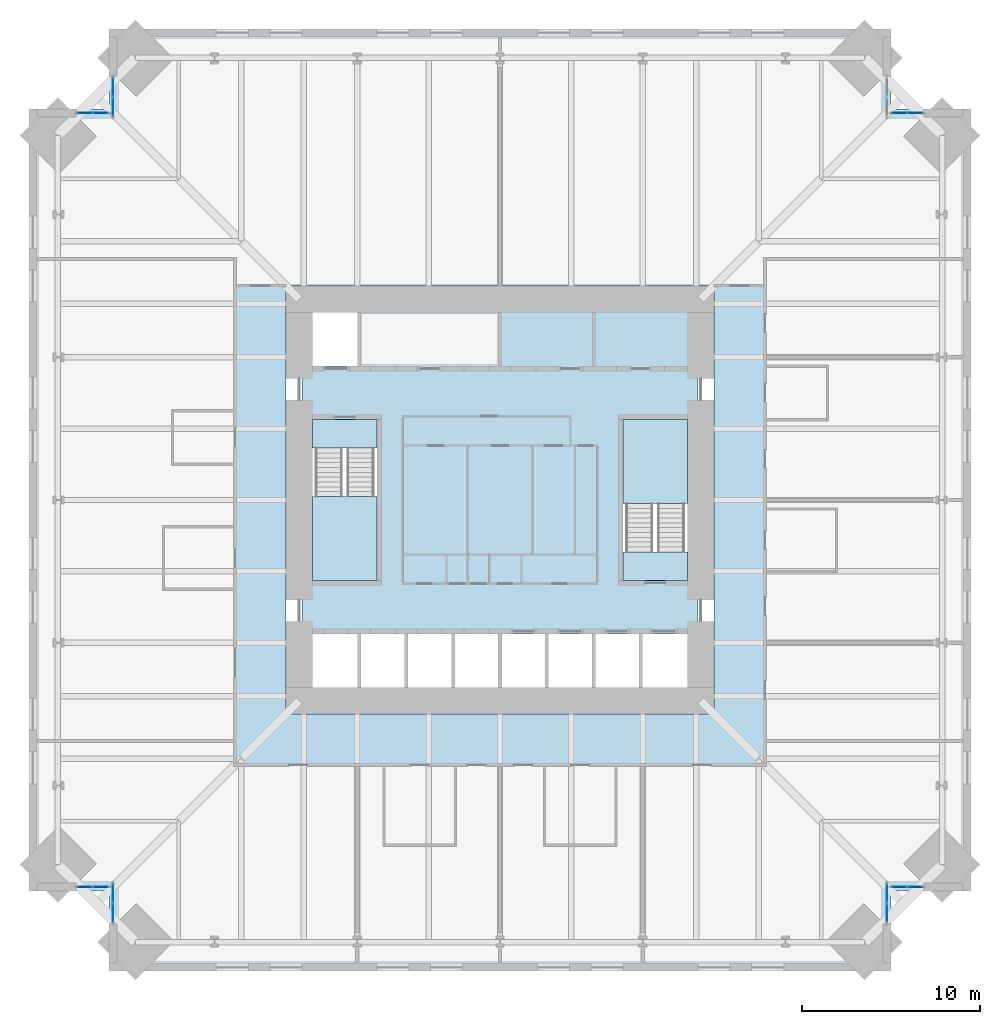
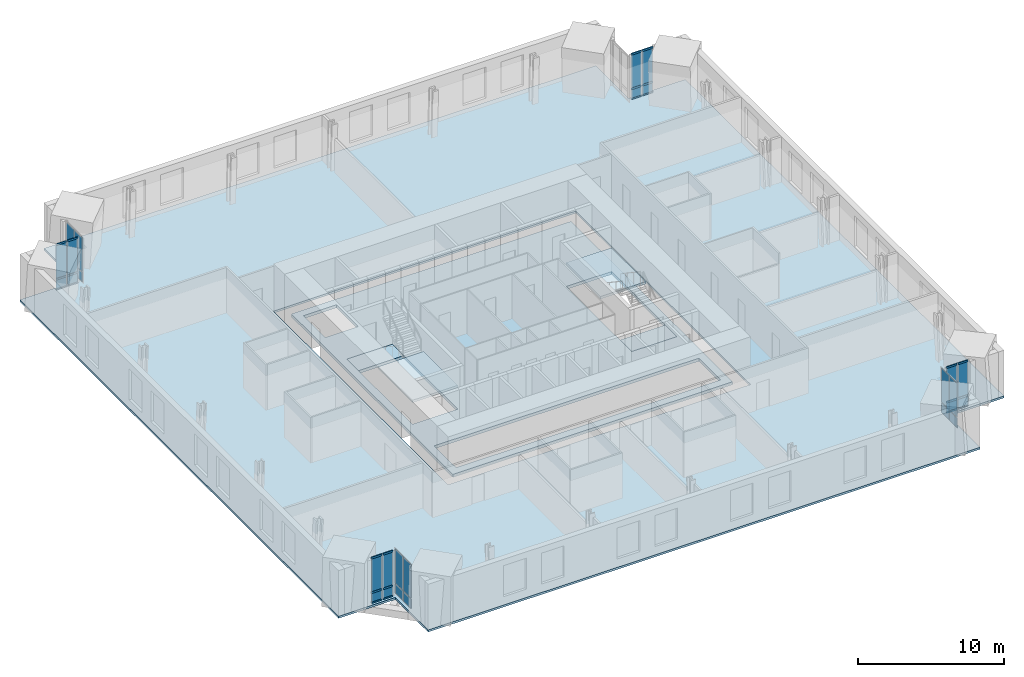
# One storey, part 12 of 18: 28 plates, 24 members, 6 slabs, 9 elements without a shape of their own.
"""IFC4 building model written with IfcOpenShell, lengths in metres."""

from ifc_helpers import new_model, si_unit, direction, frame, origin, origin_2d, place, context, subcontext, project, spatial, polyline, rectangle, hollow_rectangle, outline, extrude, material, layer, layer_set, material_profile, profile_set, type_object, element, aggregate, save


model = new_model("IFC4")

# Units and contexts
model_context = context("Model", 3, precision=1e-05, world=origin(), true_north=direction((0.0, 1.0)))
body_context = subcontext(model_context, "Body", "Model", "MODEL_VIEW")
ifc_project = project(units=[si_unit("LENGTHUNIT", "METRE"), si_unit("AREAUNIT", "SQUARE_METRE"), si_unit("VOLUMEUNIT", "CUBIC_METRE"), si_unit("PLANEANGLEUNIT", "RADIAN"), si_unit("MASSUNIT", "GRAM", prefix="KILO")], contexts=[model_context])

# Site, building, storey
site_placement = place(None, origin())
site = spatial("IfcSite", under=ifc_project, at=site_placement, CompositionType="ELEMENT")
building_placement = place(site_placement, origin())
building = spatial("IfcBuilding", under=site, at=building_placement, Name="Peilmerk Tower", CompositionType="ELEMENT")
storey_placement = place(building_placement, frame((0.0, 0.0, 151.800048828125)))
storey = spatial("IfcBuildingStorey", under=building, at=storey_placement, Name="L31", CompositionType="ELEMENT", Elevation=151.800048828125)

# Curtain wall, members
ifc_material_1 = material(Name="Aluminium stick curtain wall", Category="aluminium")
curtain_wall_type = type_object("IfcCurtainWallType", Name="CW3 stick curtain wall, 2250 module", PredefinedType="NOTDEFINED", material=ifc_material_1)
curtain_wall_1_placement = place(storey_placement, origin())
curtain_wall_1 = element("IfcCurtainWall", 1, at=curtain_wall_1_placement, inside=storey, type_object=curtain_wall_type, Name="Curtain wall CW3 NEB L31", PredefinedType="NOTDEFINED")
ifc_material_2 = material(Name="Aluminium EN AW-6063 T6", Category="aluminium")
ifc_material_profile = material_profile(ifc_material_2, hollow_rectangle(XDim=0.06494140625, YDim=0.14990234375, WallThickness=0.0029296875, at=origin_2d()), Name="AL 150x65x3")
ifc_profile_set = profile_set([ifc_material_profile], Name="Aluminium EN AW-6063 T6")
member_type = type_object("IfcMemberType", Name="CW3-T AL 150x65x3 transom", PredefinedType="USERDEFINED", material=ifc_profile_set)
member_1_placement = place(storey_placement, frame((21.965087890625, 21.675048828125, 0.032470703125), z_axis=(1.0, 0.0, 0.0), x_axis=(0.0, 1.0, 0.0)))
member_1 = element("IfcMember", 2, at=member_1_placement, type_object=member_type, Name="CW3 transom 1.1", ObjectType="TRANSOM", PredefinedType="USERDEFINED", context=body_context, shape_type="SweptSolid", body=[
    extrude(hollow_rectangle(XDim=0.06494140625, YDim=0.14990234375, WallThickness=0.0029296875, at=origin_2d()), origin(), (0.0, 0.0, 1.0), 0.82177734375),
])
member_2_placement = place(storey_placement, frame((21.965087890625, 21.675048828125, 0.89990234375), z_axis=(1.0, 0.0, 0.0), x_axis=(0.0, 1.0, 0.0)))
member_2 = element("IfcMember", 3, at=member_2_placement, type_object=member_type, Name="CW3 transom 1.2", ObjectType="TRANSOM", PredefinedType="USERDEFINED", context=body_context, shape_type="SweptSolid", body=[
    extrude(hollow_rectangle(XDim=0.06494140625, YDim=0.14990234375, WallThickness=0.0029296875, at=origin_2d()), origin(), (0.0, 0.0, 1.0), 0.82177734375),
])
member_3_placement = place(storey_placement, frame((21.965087890625, 21.675048828125, 3.79736328125), z_axis=(1.0, 0.0, 0.0), x_axis=(0.0, 1.0, 0.0)))
member_3 = element("IfcMember", 4, at=member_3_placement, type_object=member_type, Name="CW3 transom 1.3", ObjectType="TRANSOM", PredefinedType="USERDEFINED", context=body_context, shape_type="SweptSolid", body=[
    extrude(hollow_rectangle(XDim=0.06494140625, YDim=0.14990234375, WallThickness=0.0029296875, at=origin_2d()), origin(), (0.0, 0.0, 1.0), 0.82177734375),
])
member_4_placement = place(storey_placement, frame((22.851806640625, 21.675048828125, 0.032470703125), z_axis=(1.0, 0.0, 0.0), x_axis=(0.0, 1.0, 0.0)))
member_4 = element("IfcMember", 5, at=member_4_placement, type_object=member_type, Name="CW3 transom 2.1", ObjectType="TRANSOM", PredefinedType="USERDEFINED", context=body_context, shape_type="SweptSolid", body=[
    extrude(hollow_rectangle(XDim=0.06494140625, YDim=0.14990234375, WallThickness=0.0029296875, at=origin_2d()), origin(), (0.0, 0.0, 1.0), 0.82177734375),
])
member_5_placement = place(storey_placement, frame((22.851806640625, 21.675048828125, 0.89990234375), z_axis=(1.0, 0.0, 0.0), x_axis=(0.0, 1.0, 0.0)))
member_5 = element("IfcMember", 6, at=member_5_placement, type_object=member_type, Name="CW3 transom 2.2", ObjectType="TRANSOM", PredefinedType="USERDEFINED", context=body_context, shape_type="SweptSolid", body=[
    extrude(hollow_rectangle(XDim=0.06494140625, YDim=0.14990234375, WallThickness=0.0029296875, at=origin_2d()), origin(), (0.0, 0.0, 1.0), 0.82177734375),
])
member_6_placement = place(storey_placement, frame((22.851806640625, 21.675048828125, 3.79736328125), z_axis=(1.0, 0.0, 0.0), x_axis=(0.0, 1.0, 0.0)))
member_6 = element("IfcMember", 7, at=member_6_placement, type_object=member_type, Name="CW3 transom 2.3", ObjectType="TRANSOM", PredefinedType="USERDEFINED", context=body_context, shape_type="SweptSolid", body=[
    extrude(hollow_rectangle(XDim=0.06494140625, YDim=0.14990234375, WallThickness=0.0029296875, at=origin_2d()), origin(), (0.0, 0.0, 1.0), 0.82177734375),
])

curtain_wall_2_placement = place(storey_placement, origin())
curtain_wall_2 = element("IfcCurtainWall", 8, at=curtain_wall_2_placement, inside=storey, type_object=curtain_wall_type, Name="Curtain wall CW3 SEB L31", PredefinedType="NOTDEFINED")
member_7_placement = place(storey_placement, frame((21.965087890625, -21.675048828125, 0.032470703125), z_axis=(1.0, 0.0, 0.0), x_axis=(0.0, 1.0, 0.0)))
member_7 = element("IfcMember", 9, at=member_7_placement, type_object=member_type, Name="CW3 transom 1.1", ObjectType="TRANSOM", PredefinedType="USERDEFINED", context=body_context, shape_type="SweptSolid", body=[
    extrude(hollow_rectangle(XDim=0.06494140625, YDim=0.14990234375, WallThickness=0.0029296875, at=origin_2d()), origin(), (0.0, 0.0, 1.0), 0.82177734375),
])
member_8_placement = place(storey_placement, frame((21.965087890625, -21.675048828125, 0.89990234375), z_axis=(1.0, 0.0, 0.0), x_axis=(0.0, 1.0, 0.0)))
member_8 = element("IfcMember", 10, at=member_8_placement, type_object=member_type, Name="CW3 transom 1.2", ObjectType="TRANSOM", PredefinedType="USERDEFINED", context=body_context, shape_type="SweptSolid", body=[
    extrude(hollow_rectangle(XDim=0.06494140625, YDim=0.14990234375, WallThickness=0.0029296875, at=origin_2d()), origin(), (0.0, 0.0, 1.0), 0.82177734375),
])
member_9_placement = place(storey_placement, frame((21.965087890625, -21.675048828125, 3.79736328125), z_axis=(1.0, 0.0, 0.0), x_axis=(0.0, 1.0, 0.0)))
member_9 = element("IfcMember", 11, at=member_9_placement, type_object=member_type, Name="CW3 transom 1.3", ObjectType="TRANSOM", PredefinedType="USERDEFINED", context=body_context, shape_type="SweptSolid", body=[
    extrude(hollow_rectangle(XDim=0.06494140625, YDim=0.14990234375, WallThickness=0.0029296875, at=origin_2d()), origin(), (0.0, 0.0, 1.0), 0.82177734375),
])
member_10_placement = place(storey_placement, frame((22.851806640625, -21.675048828125, 0.032470703125), z_axis=(1.0, 0.0, 0.0), x_axis=(0.0, 1.0, 0.0)))
member_10 = element("IfcMember", 12, at=member_10_placement, type_object=member_type, Name="CW3 transom 2.1", ObjectType="TRANSOM", PredefinedType="USERDEFINED", context=body_context, shape_type="SweptSolid", body=[
    extrude(hollow_rectangle(XDim=0.06494140625, YDim=0.14990234375, WallThickness=0.0029296875, at=origin_2d()), origin(), (0.0, 0.0, 1.0), 0.82177734375),
])
member_11_placement = place(storey_placement, frame((22.851806640625, -21.675048828125, 0.89990234375), z_axis=(1.0, 0.0, 0.0), x_axis=(0.0, 1.0, 0.0)))
member_11 = element("IfcMember", 13, at=member_11_placement, type_object=member_type, Name="CW3 transom 2.2", ObjectType="TRANSOM", PredefinedType="USERDEFINED", context=body_context, shape_type="SweptSolid", body=[
    extrude(hollow_rectangle(XDim=0.06494140625, YDim=0.14990234375, WallThickness=0.0029296875, at=origin_2d()), origin(), (0.0, 0.0, 1.0), 0.82177734375),
])
member_12_placement = place(storey_placement, frame((22.851806640625, -21.675048828125, 3.79736328125), z_axis=(1.0, 0.0, 0.0), x_axis=(0.0, 1.0, 0.0)))
member_12 = element("IfcMember", 14, at=member_12_placement, type_object=member_type, Name="CW3 transom 2.3", ObjectType="TRANSOM", PredefinedType="USERDEFINED", context=body_context, shape_type="SweptSolid", body=[
    extrude(hollow_rectangle(XDim=0.06494140625, YDim=0.14990234375, WallThickness=0.0029296875, at=origin_2d()), origin(), (0.0, 0.0, 1.0), 0.82177734375),
])

curtain_wall_3_placement = place(storey_placement, origin())
curtain_wall_3 = element("IfcCurtainWall", 15, at=curtain_wall_3_placement, inside=storey, type_object=curtain_wall_type, Name="Curtain wall CW3 SWB L31", PredefinedType="NOTDEFINED")
member_13_placement = place(storey_placement, frame((-21.965087890625, -21.675048828125, 0.032470703125), z_axis=(-1.0, 0.0, 0.0), x_axis=(0.0, -1.0, 0.0)))
member_13 = element("IfcMember", 16, at=member_13_placement, type_object=member_type, Name="CW3 transom 1.1", ObjectType="TRANSOM", PredefinedType="USERDEFINED", context=body_context, shape_type="SweptSolid", body=[
    extrude(hollow_rectangle(XDim=0.06494140625, YDim=0.14990234375, WallThickness=0.0029296875, at=origin_2d()), origin(), (0.0, 0.0, 1.0), 0.82177734375),
])
member_14_placement = place(storey_placement, frame((-21.965087890625, -21.675048828125, 0.89990234375), z_axis=(-1.0, 0.0, 0.0), x_axis=(0.0, -1.0, 0.0)))
member_14 = element("IfcMember", 17, at=member_14_placement, type_object=member_type, Name="CW3 transom 1.2", ObjectType="TRANSOM", PredefinedType="USERDEFINED", context=body_context, shape_type="SweptSolid", body=[
    extrude(hollow_rectangle(XDim=0.06494140625, YDim=0.14990234375, WallThickness=0.0029296875, at=origin_2d()), origin(), (0.0, 0.0, 1.0), 0.82177734375),
])
member_15_placement = place(storey_placement, frame((-21.965087890625, -21.675048828125, 3.79736328125), z_axis=(-1.0, 0.0, 0.0), x_axis=(0.0, -1.0, 0.0)))
member_15 = element("IfcMember", 18, at=member_15_placement, type_object=member_type, Name="CW3 transom 1.3", ObjectType="TRANSOM", PredefinedType="USERDEFINED", context=body_context, shape_type="SweptSolid", body=[
    extrude(hollow_rectangle(XDim=0.06494140625, YDim=0.14990234375, WallThickness=0.0029296875, at=origin_2d()), origin(), (0.0, 0.0, 1.0), 0.82177734375),
])
member_16_placement = place(storey_placement, frame((-22.851806640625, -21.675048828125, 0.032470703125), z_axis=(-1.0, 0.0, 0.0), x_axis=(0.0, -1.0, 0.0)))
member_16 = element("IfcMember", 19, at=member_16_placement, type_object=member_type, Name="CW3 transom 2.1", ObjectType="TRANSOM", PredefinedType="USERDEFINED", context=body_context, shape_type="SweptSolid", body=[
    extrude(hollow_rectangle(XDim=0.06494140625, YDim=0.14990234375, WallThickness=0.0029296875, at=origin_2d()), origin(), (0.0, 0.0, 1.0), 0.82177734375),
])
member_17_placement = place(storey_placement, frame((-22.851806640625, -21.675048828125, 0.89990234375), z_axis=(-1.0, 0.0, 0.0), x_axis=(0.0, -1.0, 0.0)))
member_17 = element("IfcMember", 20, at=member_17_placement, type_object=member_type, Name="CW3 transom 2.2", ObjectType="TRANSOM", PredefinedType="USERDEFINED", context=body_context, shape_type="SweptSolid", body=[
    extrude(hollow_rectangle(XDim=0.06494140625, YDim=0.14990234375, WallThickness=0.0029296875, at=origin_2d()), origin(), (0.0, 0.0, 1.0), 0.82177734375),
])
member_18_placement = place(storey_placement, frame((-22.851806640625, -21.675048828125, 3.79736328125), z_axis=(-1.0, 0.0, 0.0), x_axis=(0.0, -1.0, 0.0)))
member_18 = element("IfcMember", 21, at=member_18_placement, type_object=member_type, Name="CW3 transom 2.3", ObjectType="TRANSOM", PredefinedType="USERDEFINED", context=body_context, shape_type="SweptSolid", body=[
    extrude(hollow_rectangle(XDim=0.06494140625, YDim=0.14990234375, WallThickness=0.0029296875, at=origin_2d()), origin(), (0.0, 0.0, 1.0), 0.82177734375),
])

curtain_wall_4_placement = place(storey_placement, origin())
curtain_wall_4 = element("IfcCurtainWall", 22, at=curtain_wall_4_placement, inside=storey, type_object=curtain_wall_type, Name="Curtain wall CW3 NWB L31", PredefinedType="NOTDEFINED")
member_19_placement = place(storey_placement, frame((-21.965087890625, 21.675048828125, 0.032470703125), z_axis=(-1.0, 0.0, 0.0), x_axis=(0.0, -1.0, 0.0)))
member_19 = element("IfcMember", 23, at=member_19_placement, type_object=member_type, Name="CW3 transom 1.1", ObjectType="TRANSOM", PredefinedType="USERDEFINED", context=body_context, shape_type="SweptSolid", body=[
    extrude(hollow_rectangle(XDim=0.06494140625, YDim=0.14990234375, WallThickness=0.0029296875, at=origin_2d()), origin(), (0.0, 0.0, 1.0), 0.82177734375),
])
member_20_placement = place(storey_placement, frame((-21.965087890625, 21.675048828125, 0.89990234375), z_axis=(-1.0, 0.0, 0.0), x_axis=(0.0, -1.0, 0.0)))
member_20 = element("IfcMember", 24, at=member_20_placement, type_object=member_type, Name="CW3 transom 1.2", ObjectType="TRANSOM", PredefinedType="USERDEFINED", context=body_context, shape_type="SweptSolid", body=[
    extrude(hollow_rectangle(XDim=0.06494140625, YDim=0.14990234375, WallThickness=0.0029296875, at=origin_2d()), origin(), (0.0, 0.0, 1.0), 0.82177734375),
])
member_21_placement = place(storey_placement, frame((-21.965087890625, 21.675048828125, 3.79736328125), z_axis=(-1.0, 0.0, 0.0), x_axis=(0.0, -1.0, 0.0)))
member_21 = element("IfcMember", 25, at=member_21_placement, type_object=member_type, Name="CW3 transom 1.3", ObjectType="TRANSOM", PredefinedType="USERDEFINED", context=body_context, shape_type="SweptSolid", body=[
    extrude(hollow_rectangle(XDim=0.06494140625, YDim=0.14990234375, WallThickness=0.0029296875, at=origin_2d()), origin(), (0.0, 0.0, 1.0), 0.82177734375),
])
member_22_placement = place(storey_placement, frame((-22.851806640625, 21.675048828125, 0.032470703125), z_axis=(-1.0, 0.0, 0.0), x_axis=(0.0, -1.0, 0.0)))
member_22 = element("IfcMember", 26, at=member_22_placement, type_object=member_type, Name="CW3 transom 2.1", ObjectType="TRANSOM", PredefinedType="USERDEFINED", context=body_context, shape_type="SweptSolid", body=[
    extrude(hollow_rectangle(XDim=0.06494140625, YDim=0.14990234375, WallThickness=0.0029296875, at=origin_2d()), origin(), (0.0, 0.0, 1.0), 0.82177734375),
])
member_23_placement = place(storey_placement, frame((-22.851806640625, 21.675048828125, 0.89990234375), z_axis=(-1.0, 0.0, 0.0), x_axis=(0.0, -1.0, 0.0)))
member_23 = element("IfcMember", 27, at=member_23_placement, type_object=member_type, Name="CW3 transom 2.2", ObjectType="TRANSOM", PredefinedType="USERDEFINED", context=body_context, shape_type="SweptSolid", body=[
    extrude(hollow_rectangle(XDim=0.06494140625, YDim=0.14990234375, WallThickness=0.0029296875, at=origin_2d()), origin(), (0.0, 0.0, 1.0), 0.82177734375),
])
member_24_placement = place(storey_placement, frame((-22.851806640625, 21.675048828125, 3.79736328125), z_axis=(-1.0, 0.0, 0.0), x_axis=(0.0, -1.0, 0.0)))
member_24 = element("IfcMember", 28, at=member_24_placement, type_object=member_type, Name="CW3 transom 2.3", ObjectType="TRANSOM", PredefinedType="USERDEFINED", context=body_context, shape_type="SweptSolid", body=[
    extrude(hollow_rectangle(XDim=0.06494140625, YDim=0.14990234375, WallThickness=0.0029296875, at=origin_2d()), origin(), (0.0, 0.0, 1.0), 0.82177734375),
])

# Slab
ifc_material_3 = material(Name="Concrete C55/67", Category="concrete")
ifc_layer_1 = layer(ifc_material_3, 0.25)
ifc_layer_set_1 = layer_set([ifc_layer_1], Name="Concrete C55/67")
slab_type_1 = type_object("IfcSlabType", Name="CS250 250 core floor slab", PredefinedType="FLOOR", material=ifc_layer_set_1)
slab_1_placement = place(storey_placement, frame((0.0, 0.0, -0.25)))
element("IfcSlab", 29, at=slab_1_placement, inside=storey, type_object=slab_type_1, Name="Core slab L31", PredefinedType="FLOOR", context=body_context, shape_type="SweptSolid", body=[
    extrude(outline(polyline([(11.10009765625, 11.10009765625), (-11.10009765625, 11.10009765625), (-11.10009765625, -11.10009765625), (11.10009765625, -11.10009765625), (11.10009765625, 11.10009765625)]), holes=[polyline([(-10.5, 7.5), (-10.5, 10.5), (-7.875, 10.5), (-7.875, 7.5), (-10.5, 7.5)]), polyline([(-10.5, -10.5), (-10.5, -7.5), (10.5, -7.5), (10.5, -10.5), (-10.5, -10.5)]), polyline([(-10.5, 4.5), (-6.89990234375, 4.5), (-6.89990234375, -4.5), (-10.5, -4.5), (-10.5, 4.5)]), polyline([(10.5, 4.5), (10.5, -4.5), (6.89990234375, -4.5), (6.89990234375, 4.5), (10.5, 4.5)])]), origin(), (0.0, 0.0, 1.0), 0.25),
])

# Plate
ifc_material_4 = material(Name="Clear insulated glazing unit", Category="glass")
ifc_layer_2 = layer(ifc_material_4, 0.028076171875)
ifc_layer_set_2 = layer_set([ifc_layer_2], Name="Clear insulated glazing unit")
plate_type = type_object("IfcPlateType", Name="CW3-P 28 glazed panel", PredefinedType="CURTAIN_PANEL", material=ifc_layer_set_2)
plate_1_placement = place(storey_placement, frame((22.3759765625, 21.675048828125, 0.06494140625), z_axis=(0.0, 0.0, 1.0), x_axis=(1.0, 0.0, 0.0)))
plate_1 = element("IfcPlate", 30, at=plate_1_placement, type_object=plate_type, Name="CW3 panel 1.1", PredefinedType="CURTAIN_PANEL", context=body_context, shape_type="SweptSolid", body=[
    extrude(rectangle(XDim=0.82177734375, YDim=0.028076171875, at=origin_2d()), origin(), (0.0, 0.0, 1.0), 0.802490234375),
])

plate_2_placement = place(storey_placement, frame((22.3759765625, 21.675048828125, 0.932373046875), z_axis=(0.0, 0.0, 1.0), x_axis=(1.0, 0.0, 0.0)))
plate_2 = element("IfcPlate", 31, at=plate_2_placement, type_object=plate_type, Name="CW3 panel 1.2", PredefinedType="CURTAIN_PANEL", context=body_context, shape_type="SweptSolid", body=[
    extrude(rectangle(XDim=0.82177734375, YDim=0.028076171875, at=origin_2d()), origin(), (0.0, 0.0, 1.0), 2.83251953125),
])

plate_3_placement = place(storey_placement, frame((23.2626953125, 21.675048828125, 0.06494140625), z_axis=(0.0, 0.0, 1.0), x_axis=(1.0, 0.0, 0.0)))
plate_3 = element("IfcPlate", 32, at=plate_3_placement, type_object=plate_type, Name="CW3 panel 2.1", PredefinedType="CURTAIN_PANEL", context=body_context, shape_type="SweptSolid", body=[
    extrude(rectangle(XDim=0.82177734375, YDim=0.028076171875, at=origin_2d()), origin(), (0.0, 0.0, 1.0), 0.802490234375),
])

plate_4_placement = place(storey_placement, frame((23.2626953125, 21.675048828125, 0.932373046875), z_axis=(0.0, 0.0, 1.0), x_axis=(1.0, 0.0, 0.0)))
plate_4 = element("IfcPlate", 33, at=plate_4_placement, type_object=plate_type, Name="CW3 panel 2.2", PredefinedType="CURTAIN_PANEL", context=body_context, shape_type="SweptSolid", body=[
    extrude(rectangle(XDim=0.82177734375, YDim=0.028076171875, at=origin_2d()), origin(), (0.0, 0.0, 1.0), 2.83251953125),
])

aggregate(curtain_wall_1, [member_1, member_2, member_3, plate_1, plate_2, member_4, member_5, member_6, plate_3, plate_4])

# Curtain wall, plates
curtain_wall_5_placement = place(storey_placement, origin())
curtain_wall_5 = element("IfcCurtainWall", 34, at=curtain_wall_5_placement, inside=storey, type_object=curtain_wall_type, Name="Curtain wall CW3 SEA L31", PredefinedType="NOTDEFINED")
plate_5_placement = place(storey_placement, frame((21.675048828125, -22.038330078125, 0.06494140625), z_axis=(0.0, 0.0, 1.0), x_axis=(0.0, -1.0, 0.0)))
plate_5 = element("IfcPlate", 35, at=plate_5_placement, type_object=plate_type, Name="CW3 panel 1.1", PredefinedType="CURTAIN_PANEL", context=body_context, shape_type="SweptSolid", body=[
    extrude(rectangle(XDim=1.046875, YDim=0.028076171875, at=origin_2d()), origin(), (0.0, 0.0, 1.0), 0.802490234375),
])
plate_6_placement = place(storey_placement, frame((21.675048828125, -22.038330078125, 0.932373046875), z_axis=(0.0, 0.0, 1.0), x_axis=(0.0, -1.0, 0.0)))
plate_6 = element("IfcPlate", 36, at=plate_6_placement, type_object=plate_type, Name="CW3 panel 1.2", PredefinedType="CURTAIN_PANEL", context=body_context, shape_type="SweptSolid", body=[
    extrude(rectangle(XDim=1.046875, YDim=0.028076171875, at=origin_2d()), origin(), (0.0, 0.0, 1.0), 2.83251953125),
])
plate_7_placement = place(storey_placement, frame((21.675048828125, -23.150146484375, 0.06494140625), z_axis=(0.0, 0.0, 1.0), x_axis=(0.0, -1.0, 0.0)))
plate_7 = element("IfcPlate", 37, at=plate_7_placement, type_object=plate_type, Name="CW3 panel 2.1", PredefinedType="CURTAIN_PANEL", context=body_context, shape_type="SweptSolid", body=[
    extrude(rectangle(XDim=1.046875, YDim=0.028076171875, at=origin_2d()), origin(), (0.0, 0.0, 1.0), 0.802490234375),
])
plate_8_placement = place(storey_placement, frame((21.675048828125, -23.150146484375, 0.932373046875), z_axis=(0.0, 0.0, 1.0), x_axis=(0.0, -1.0, 0.0)))
plate_8 = element("IfcPlate", 38, at=plate_8_placement, type_object=plate_type, Name="CW3 panel 2.2", PredefinedType="CURTAIN_PANEL", context=body_context, shape_type="SweptSolid", body=[
    extrude(rectangle(XDim=1.046875, YDim=0.028076171875, at=origin_2d()), origin(), (0.0, 0.0, 1.0), 2.83251953125),
])
aggregate(curtain_wall_5, [plate_5, plate_6, plate_7, plate_8])

# Plate
plate_9_placement = place(storey_placement, frame((22.3759765625, -21.675048828125, 0.06494140625), z_axis=(0.0, 0.0, 1.0), x_axis=(1.0, 0.0, 0.0)))
plate_9 = element("IfcPlate", 39, at=plate_9_placement, type_object=plate_type, Name="CW3 panel 1.1", PredefinedType="CURTAIN_PANEL", context=body_context, shape_type="SweptSolid", body=[
    extrude(rectangle(XDim=0.82177734375, YDim=0.028076171875, at=origin_2d()), origin(), (0.0, 0.0, 1.0), 0.802490234375),
])

plate_10_placement = place(storey_placement, frame((22.3759765625, -21.675048828125, 0.932373046875), z_axis=(0.0, 0.0, 1.0), x_axis=(1.0, 0.0, 0.0)))
plate_10 = element("IfcPlate", 40, at=plate_10_placement, type_object=plate_type, Name="CW3 panel 1.2", PredefinedType="CURTAIN_PANEL", context=body_context, shape_type="SweptSolid", body=[
    extrude(rectangle(XDim=0.82177734375, YDim=0.028076171875, at=origin_2d()), origin(), (0.0, 0.0, 1.0), 2.83251953125),
])

plate_11_placement = place(storey_placement, frame((23.2626953125, -21.675048828125, 0.06494140625), z_axis=(0.0, 0.0, 1.0), x_axis=(1.0, 0.0, 0.0)))
plate_11 = element("IfcPlate", 41, at=plate_11_placement, type_object=plate_type, Name="CW3 panel 2.1", PredefinedType="CURTAIN_PANEL", context=body_context, shape_type="SweptSolid", body=[
    extrude(rectangle(XDim=0.82177734375, YDim=0.028076171875, at=origin_2d()), origin(), (0.0, 0.0, 1.0), 0.802490234375),
])

plate_12_placement = place(storey_placement, frame((23.2626953125, -21.675048828125, 0.932373046875), z_axis=(0.0, 0.0, 1.0), x_axis=(1.0, 0.0, 0.0)))
plate_12 = element("IfcPlate", 42, at=plate_12_placement, type_object=plate_type, Name="CW3 panel 2.2", PredefinedType="CURTAIN_PANEL", context=body_context, shape_type="SweptSolid", body=[
    extrude(rectangle(XDim=0.82177734375, YDim=0.028076171875, at=origin_2d()), origin(), (0.0, 0.0, 1.0), 2.83251953125),
])

aggregate(curtain_wall_2, [member_7, member_8, member_9, plate_9, plate_10, member_10, member_11, member_12, plate_11, plate_12])

# Curtain wall, plates
curtain_wall_6_placement = place(storey_placement, origin())
curtain_wall_6 = element("IfcCurtainWall", 43, at=curtain_wall_6_placement, inside=storey, type_object=curtain_wall_type, Name="Curtain wall CW3 SWA L31", PredefinedType="NOTDEFINED")
plate_13_placement = place(storey_placement, frame((-21.675048828125, -22.038330078125, 0.06494140625), z_axis=(0.0, 0.0, 1.0), x_axis=(0.0, -1.0, 0.0)))
plate_13 = element("IfcPlate", 44, at=plate_13_placement, type_object=plate_type, Name="CW3 panel 1.1", PredefinedType="CURTAIN_PANEL", context=body_context, shape_type="SweptSolid", body=[
    extrude(rectangle(XDim=1.046875, YDim=0.028076171875, at=origin_2d()), origin(), (0.0, 0.0, 1.0), 0.802490234375),
])
plate_14_placement = place(storey_placement, frame((-21.675048828125, -22.038330078125, 0.932373046875), z_axis=(0.0, 0.0, 1.0), x_axis=(0.0, -1.0, 0.0)))
plate_14 = element("IfcPlate", 45, at=plate_14_placement, type_object=plate_type, Name="CW3 panel 1.2", PredefinedType="CURTAIN_PANEL", context=body_context, shape_type="SweptSolid", body=[
    extrude(rectangle(XDim=1.046875, YDim=0.028076171875, at=origin_2d()), origin(), (0.0, 0.0, 1.0), 2.83251953125),
])
plate_15_placement = place(storey_placement, frame((-21.675048828125, -23.150146484375, 0.06494140625), z_axis=(0.0, 0.0, 1.0), x_axis=(0.0, -1.0, 0.0)))
plate_15 = element("IfcPlate", 46, at=plate_15_placement, type_object=plate_type, Name="CW3 panel 2.1", PredefinedType="CURTAIN_PANEL", context=body_context, shape_type="SweptSolid", body=[
    extrude(rectangle(XDim=1.046875, YDim=0.028076171875, at=origin_2d()), origin(), (0.0, 0.0, 1.0), 0.802490234375),
])
plate_16_placement = place(storey_placement, frame((-21.675048828125, -23.150146484375, 0.932373046875), z_axis=(0.0, 0.0, 1.0), x_axis=(0.0, -1.0, 0.0)))
plate_16 = element("IfcPlate", 47, at=plate_16_placement, type_object=plate_type, Name="CW3 panel 2.2", PredefinedType="CURTAIN_PANEL", context=body_context, shape_type="SweptSolid", body=[
    extrude(rectangle(XDim=1.046875, YDim=0.028076171875, at=origin_2d()), origin(), (0.0, 0.0, 1.0), 2.83251953125),
])
aggregate(curtain_wall_6, [plate_13, plate_14, plate_15, plate_16])

# Plate
plate_17_placement = place(storey_placement, frame((-22.3759765625, -21.675048828125, 0.06494140625), z_axis=(0.0, 0.0, 1.0), x_axis=(-1.0, 0.0, 0.0)))
plate_17 = element("IfcPlate", 48, at=plate_17_placement, type_object=plate_type, Name="CW3 panel 1.1", PredefinedType="CURTAIN_PANEL", context=body_context, shape_type="SweptSolid", body=[
    extrude(rectangle(XDim=0.82177734375, YDim=0.028076171875, at=origin_2d()), origin(), (0.0, 0.0, 1.0), 0.802490234375),
])

plate_18_placement = place(storey_placement, frame((-22.3759765625, -21.675048828125, 0.932373046875), z_axis=(0.0, 0.0, 1.0), x_axis=(-1.0, 0.0, 0.0)))
plate_18 = element("IfcPlate", 49, at=plate_18_placement, type_object=plate_type, Name="CW3 panel 1.2", PredefinedType="CURTAIN_PANEL", context=body_context, shape_type="SweptSolid", body=[
    extrude(rectangle(XDim=0.82177734375, YDim=0.028076171875, at=origin_2d()), origin(), (0.0, 0.0, 1.0), 2.83251953125),
])

plate_19_placement = place(storey_placement, frame((-23.2626953125, -21.675048828125, 0.06494140625), z_axis=(0.0, 0.0, 1.0), x_axis=(-1.0, 0.0, 0.0)))
plate_19 = element("IfcPlate", 50, at=plate_19_placement, type_object=plate_type, Name="CW3 panel 2.1", PredefinedType="CURTAIN_PANEL", context=body_context, shape_type="SweptSolid", body=[
    extrude(rectangle(XDim=0.82177734375, YDim=0.028076171875, at=origin_2d()), origin(), (0.0, 0.0, 1.0), 0.802490234375),
])

plate_20_placement = place(storey_placement, frame((-23.2626953125, -21.675048828125, 0.932373046875), z_axis=(0.0, 0.0, 1.0), x_axis=(-1.0, 0.0, 0.0)))
plate_20 = element("IfcPlate", 51, at=plate_20_placement, type_object=plate_type, Name="CW3 panel 2.2", PredefinedType="CURTAIN_PANEL", context=body_context, shape_type="SweptSolid", body=[
    extrude(rectangle(XDim=0.82177734375, YDim=0.028076171875, at=origin_2d()), origin(), (0.0, 0.0, 1.0), 2.83251953125),
])

aggregate(curtain_wall_3, [member_13, member_14, member_15, plate_17, plate_18, member_16, member_17, member_18, plate_19, plate_20])

# Curtain wall, plates
curtain_wall_7_placement = place(storey_placement, origin())
curtain_wall_7 = element("IfcCurtainWall", 52, at=curtain_wall_7_placement, inside=storey, type_object=curtain_wall_type, Name="Curtain wall CW3 NWA L31", PredefinedType="NOTDEFINED")
plate_21_placement = place(storey_placement, frame((-21.675048828125, 22.038330078125, 0.06494140625), z_axis=(0.0, 0.0, 1.0), x_axis=(0.0, 1.0, 0.0)))
plate_21 = element("IfcPlate", 53, at=plate_21_placement, type_object=plate_type, Name="CW3 panel 1.1", PredefinedType="CURTAIN_PANEL", context=body_context, shape_type="SweptSolid", body=[
    extrude(rectangle(XDim=1.046875, YDim=0.028076171875, at=origin_2d()), origin(), (0.0, 0.0, 1.0), 0.802490234375),
])
plate_22_placement = place(storey_placement, frame((-21.675048828125, 22.038330078125, 0.932373046875), z_axis=(0.0, 0.0, 1.0), x_axis=(0.0, 1.0, 0.0)))
plate_22 = element("IfcPlate", 54, at=plate_22_placement, type_object=plate_type, Name="CW3 panel 1.2", PredefinedType="CURTAIN_PANEL", context=body_context, shape_type="SweptSolid", body=[
    extrude(rectangle(XDim=1.046875, YDim=0.028076171875, at=origin_2d()), origin(), (0.0, 0.0, 1.0), 2.83251953125),
])
plate_23_placement = place(storey_placement, frame((-21.675048828125, 23.150146484375, 0.06494140625), z_axis=(0.0, 0.0, 1.0), x_axis=(0.0, 1.0, 0.0)))
plate_23 = element("IfcPlate", 55, at=plate_23_placement, type_object=plate_type, Name="CW3 panel 2.1", PredefinedType="CURTAIN_PANEL", context=body_context, shape_type="SweptSolid", body=[
    extrude(rectangle(XDim=1.046875, YDim=0.028076171875, at=origin_2d()), origin(), (0.0, 0.0, 1.0), 0.802490234375),
])
plate_24_placement = place(storey_placement, frame((-21.675048828125, 23.150146484375, 0.932373046875), z_axis=(0.0, 0.0, 1.0), x_axis=(0.0, 1.0, 0.0)))
plate_24 = element("IfcPlate", 56, at=plate_24_placement, type_object=plate_type, Name="CW3 panel 2.2", PredefinedType="CURTAIN_PANEL", context=body_context, shape_type="SweptSolid", body=[
    extrude(rectangle(XDim=1.046875, YDim=0.028076171875, at=origin_2d()), origin(), (0.0, 0.0, 1.0), 2.83251953125),
])
aggregate(curtain_wall_7, [plate_21, plate_22, plate_23, plate_24])

# Plate
plate_25_placement = place(storey_placement, frame((-22.3759765625, 21.675048828125, 0.06494140625), z_axis=(0.0, 0.0, 1.0), x_axis=(-1.0, 0.0, 0.0)))
plate_25 = element("IfcPlate", 57, at=plate_25_placement, type_object=plate_type, Name="CW3 panel 1.1", PredefinedType="CURTAIN_PANEL", context=body_context, shape_type="SweptSolid", body=[
    extrude(rectangle(XDim=0.82177734375, YDim=0.028076171875, at=origin_2d()), origin(), (0.0, 0.0, 1.0), 0.802490234375),
])

plate_26_placement = place(storey_placement, frame((-22.3759765625, 21.675048828125, 0.932373046875), z_axis=(0.0, 0.0, 1.0), x_axis=(-1.0, 0.0, 0.0)))
plate_26 = element("IfcPlate", 58, at=plate_26_placement, type_object=plate_type, Name="CW3 panel 1.2", PredefinedType="CURTAIN_PANEL", context=body_context, shape_type="SweptSolid", body=[
    extrude(rectangle(XDim=0.82177734375, YDim=0.028076171875, at=origin_2d()), origin(), (0.0, 0.0, 1.0), 2.83251953125),
])

plate_27_placement = place(storey_placement, frame((-23.2626953125, 21.675048828125, 0.06494140625), z_axis=(0.0, 0.0, 1.0), x_axis=(-1.0, 0.0, 0.0)))
plate_27 = element("IfcPlate", 59, at=plate_27_placement, type_object=plate_type, Name="CW3 panel 2.1", PredefinedType="CURTAIN_PANEL", context=body_context, shape_type="SweptSolid", body=[
    extrude(rectangle(XDim=0.82177734375, YDim=0.028076171875, at=origin_2d()), origin(), (0.0, 0.0, 1.0), 0.802490234375),
])

plate_28_placement = place(storey_placement, frame((-23.2626953125, 21.675048828125, 0.932373046875), z_axis=(0.0, 0.0, 1.0), x_axis=(-1.0, 0.0, 0.0)))
plate_28 = element("IfcPlate", 60, at=plate_28_placement, type_object=plate_type, Name="CW3 panel 2.2", PredefinedType="CURTAIN_PANEL", context=body_context, shape_type="SweptSolid", body=[
    extrude(rectangle(XDim=0.82177734375, YDim=0.028076171875, at=origin_2d()), origin(), (0.0, 0.0, 1.0), 2.83251953125),
])

aggregate(curtain_wall_4, [member_19, member_20, member_21, plate_25, plate_26, member_22, member_23, member_24, plate_27, plate_28])

# Slab
ifc_material_5 = material(Name="Concrete C35/45", Category="concrete")
ifc_layer_3 = layer(ifc_material_5, 0.169921875)
ifc_layer_set_3 = layer_set([ifc_layer_3], Name="Concrete C35/45")
slab_type_2 = type_object("IfcSlabType", Name="FS170 170 composite floor slab", PredefinedType="FLOOR", material=ifc_layer_set_3)
slab_2_placement = place(storey_placement, frame((0.0, 0.0, -0.170166015625)))
element("IfcSlab", 61, at=slab_2_placement, inside=storey, type_object=slab_type_2, Name="Floor slab L31", PredefinedType="FLOOR", context=body_context, shape_type="SweptSolid", body=[
    extrude(outline(polyline([(-21.89990234375, -26.39990234375), (21.89990234375, -26.39990234375), (21.89990234375, -21.89990234375), (26.39990234375, -21.89990234375), (26.39990234375, 21.89990234375), (21.89990234375, 21.89990234375), (21.89990234375, 26.39990234375), (-21.89990234375, 26.39990234375), (-21.89990234375, 21.89990234375), (-26.39990234375, 21.89990234375), (-26.39990234375, -21.89990234375), (-21.89990234375, -21.89990234375), (-21.89990234375, -26.39990234375)]), holes=[polyline([(12.0, 12.0), (12.0, -12.0), (-12.0, -12.0), (-12.0, 12.0), (12.0, 12.0)])]), origin(), (0.0, 0.0, 1.0), 0.170166015625),
])

# Stair, slab
ifc_material_6 = material(Name="Precast concrete C45/55", Category="concrete")
stair_type_1 = type_object("IfcStairType", Name="ST1 22 risers of 181.8", PredefinedType="HALF_TURN_STAIR", material=ifc_material_6)
stair_1_placement = place(storey_placement, origin())
stair_1 = element("IfcStair", 62, at=stair_1_placement, inside=storey, type_object=stair_type_1, Name="Stair 1 L31 to L32", PredefinedType="HALF_TURN_STAIR")
ifc_layer_4 = layer(ifc_material_5, 0.199951171875)
ifc_layer_set_4 = layer_set([ifc_layer_4], Name="Concrete C35/45")
slab_type_3 = type_object("IfcSlabType", Name="SL1 200 concrete stair landing", PredefinedType="LANDING", material=ifc_layer_set_4)
slab_3_placement = place(storey_placement, frame((0.0, 0.0, 1.800048828125)))
slab_3 = element("IfcSlab", 63, at=slab_3_placement, type_object=slab_type_3, Name="ST1 landing 1", PredefinedType="LANDING", context=body_context, shape_type="SweptSolid", body=[
    extrude(outline(polyline([(-10.5, -4.5), (-6.89990234375, -4.5), (-6.89990234375, 0.199951171875), (-10.5, 0.199951171875), (-10.5, -4.5)])), origin(), (0.0, 0.0, 1.0), 0.199951171875),
])

stair_type_2 = type_object("IfcStairType", Name="ST2 22 risers of 181.8", PredefinedType="HALF_TURN_STAIR", material=ifc_material_6)
stair_2_placement = place(storey_placement, origin())
stair_2 = element("IfcStair", 64, at=stair_2_placement, inside=storey, type_object=stair_type_2, Name="Stair 2 L31 to L32", PredefinedType="HALF_TURN_STAIR")
slab_4_placement = place(storey_placement, frame((0.0, 0.0, 1.800048828125)))
slab_4 = element("IfcSlab", 65, at=slab_4_placement, type_object=slab_type_3, Name="ST2 landing 1", PredefinedType="LANDING", context=body_context, shape_type="SweptSolid", body=[
    extrude(outline(polyline([(6.89990234375, -0.199951171875), (10.5, -0.199951171875), (10.5, 4.5), (6.89990234375, 4.5), (6.89990234375, -0.199951171875)])), origin(), (0.0, 0.0, 1.0), 0.199951171875),
])

# Slab
ifc_layer_5 = layer(ifc_material_5, 0.25)
ifc_layer_set_5 = layer_set([ifc_layer_5], Name="Concrete C35/45")
slab_type_4 = type_object("IfcSlabType", Name="SL2 250 concrete floor landing", PredefinedType="LANDING", material=ifc_layer_set_5)
slab_5_placement = place(storey_placement, frame((0.0, 0.0, -0.25)))
slab_5 = element("IfcSlab", 66, at=slab_5_placement, type_object=slab_type_4, Name="ST1 floor landing", PredefinedType="LANDING", context=body_context, shape_type="SweptSolid", body=[
    extrude(outline(polyline([(-10.5, 2.89990234375), (-6.89990234375, 2.89990234375), (-6.89990234375, 4.5), (-10.5, 4.5), (-10.5, 2.89990234375)])), origin(), (0.0, 0.0, 1.0), 0.25),
])

aggregate(stair_1, [slab_3, slab_5])

slab_6_placement = place(storey_placement, frame((0.0, 0.0, -0.25)))
slab_6 = element("IfcSlab", 67, at=slab_6_placement, type_object=slab_type_4, Name="ST2 floor landing", PredefinedType="LANDING", context=body_context, shape_type="SweptSolid", body=[
    extrude(outline(polyline([(6.89990234375, -4.5), (10.5, -4.5), (10.5, -2.89990234375), (6.89990234375, -2.89990234375), (6.89990234375, -4.5)])), origin(), (0.0, 0.0, 1.0), 0.25),
])

aggregate(stair_2, [slab_4, slab_6])

save(model, "model.ifc")
